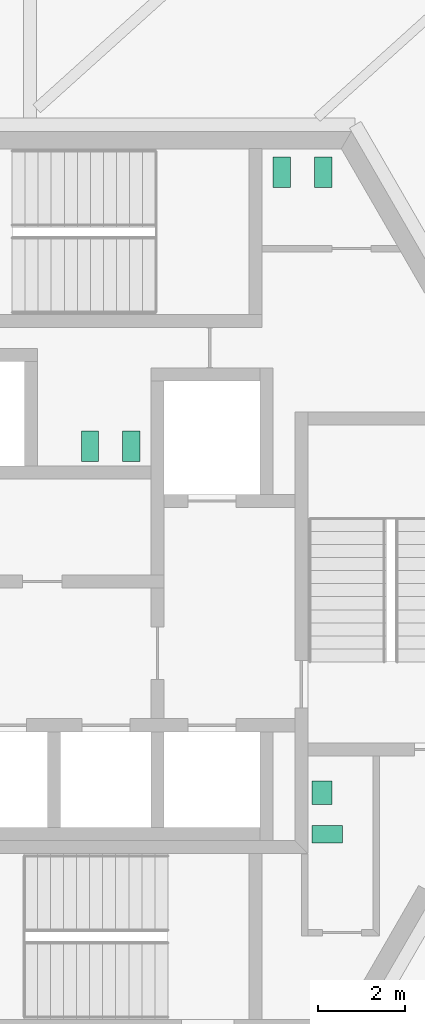
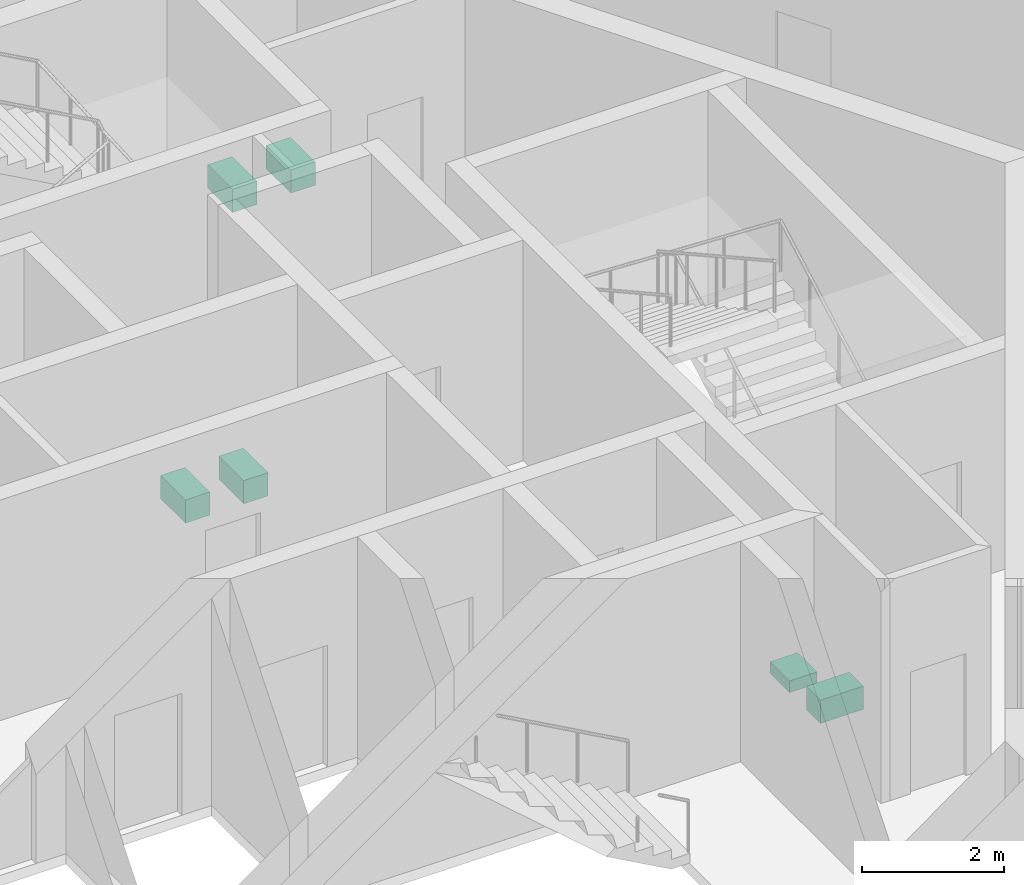
# One storey, part 16 of 16: 6 sanitary terminals.
"""IFC4 building model written with IfcOpenShell, lengths in metres."""

from ifc_helpers import new_model, si_unit, direction, frame, origin, origin_2d, place, context, subcontext, project, spatial, rectangle, extrude, source, transform, mapped, material, element, save


model = new_model("IFC4")

# Units and contexts
model_context = context("Model", 3, precision=1e-05, world=origin(), true_north=direction((0.0, 1.0)))
body_context = subcontext(model_context, "Body", "Model", "MODEL_VIEW")
ifc_project = project(units=[si_unit("LENGTHUNIT", "METRE"), si_unit("AREAUNIT", "SQUARE_METRE"), si_unit("VOLUMEUNIT", "CUBIC_METRE"), si_unit("PLANEANGLEUNIT", "RADIAN"), si_unit("MASSUNIT", "GRAM", prefix="KILO")], contexts=[model_context])

# Site, building, storey
site_placement = place(None, origin())
site = spatial("IfcSite", under=ifc_project, at=site_placement, CompositionType="ELEMENT")
building_placement = place(site_placement, origin())
building = spatial("IfcBuilding", under=site, at=building_placement, Name="Triune Harvest Tower", CompositionType="ELEMENT")
storey_placement = place(building_placement, frame((0.0, 0.0, 292.699951171875)))
storey = spatial("IfcBuildingStorey", under=building, at=storey_placement, Name="L77", CompositionType="ELEMENT", Elevation=292.699951171875)

# Sanitary terminals
ifc_material = material(Name="Vitreous china")
shared_shape_1 = source(origin(), body_context, "Body", "SweptSolid", [
    extrude(rectangle(XDim=0.39990234375, YDim=0.699951171875, at=origin_2d()), origin(), (0.0, 0.0, 1.0), 0.39990234375),
])
for number, where, z_axis, x_axis, name in (
    (1, (4.39990234375, 9.449951171875, 0.0), (0.0, 0.0, 1.0), (1.0, 0.0, 0.0), "Toilet pan L77.c01"),
    (2, (5.35009765625, 9.449951171875, 0.0), (0.0, 0.0, 1.0), (1.0, 0.0, 0.0), "Toilet pan L77.c02"),
    (3, (0.949951171875, 3.159912109375, 0.0), (0.0, 0.0, 1.0), (-1.0, 0.0, 0.0), "Toilet pan L77.c03"),
    (4, (0.0, 3.159912109375, 0.0), (0.0, 0.0, 1.0), (-1.0, 0.0, 0.0), "Toilet pan L77.c04"),
    (5, (5.449951171875, -5.739990234375, 0.0), (0.0, 0.0, 1.0), (0.0, 1.0, 0.0), "Toilet pan L77.c05"),
):
    element("IfcSanitaryTerminal", number, at=place(storey_placement, frame(where, z_axis=z_axis, x_axis=x_axis)), inside=storey, material=ifc_material, Name=name, PredefinedType="TOILETPAN", context=body_context, shape_type="MappedRepresentation", body=[
        mapped(shared_shape_1, transform((0.0, 0.0, 0.0), scale=1.0)),
    ])
shared_shape_2 = source(origin(), body_context, "Body", "SweptSolid", [
    extrude(rectangle(XDim=0.550048828125, YDim=0.449951171875, at=origin_2d()), origin(), (0.0, 0.0, 1.0), 0.199951171875),
])
sanitary_terminal_placement = place(storey_placement, frame((5.324951171875, -4.7900390625, 0.0), z_axis=(0.0, 0.0, 1.0), x_axis=(0.0, 1.0, 0.0)))
element("IfcSanitaryTerminal", 6, at=sanitary_terminal_placement, inside=storey, material=ifc_material, Name="Wash basin L77.c06", PredefinedType="WASHHANDBASIN", context=body_context, shape_type="MappedRepresentation", body=[
    mapped(shared_shape_2, transform((0.0, 0.0, 0.0), scale=1.0)),
])

save(model, "model.ifc")
